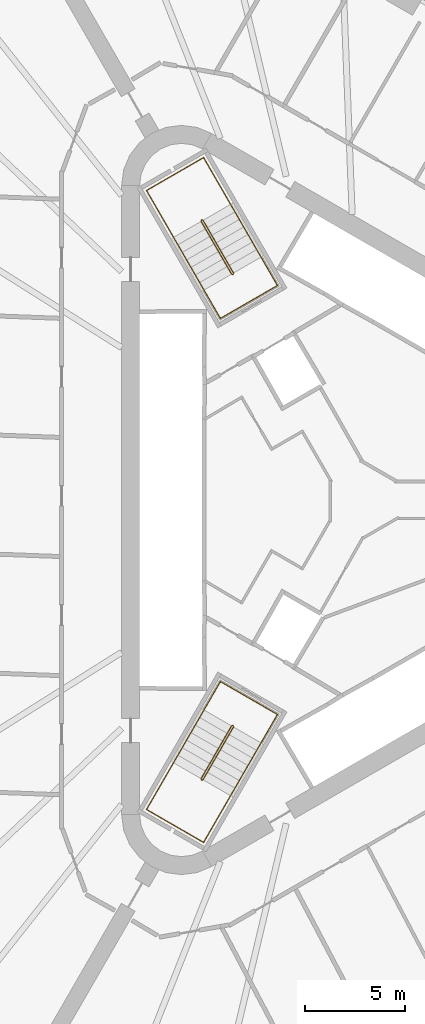
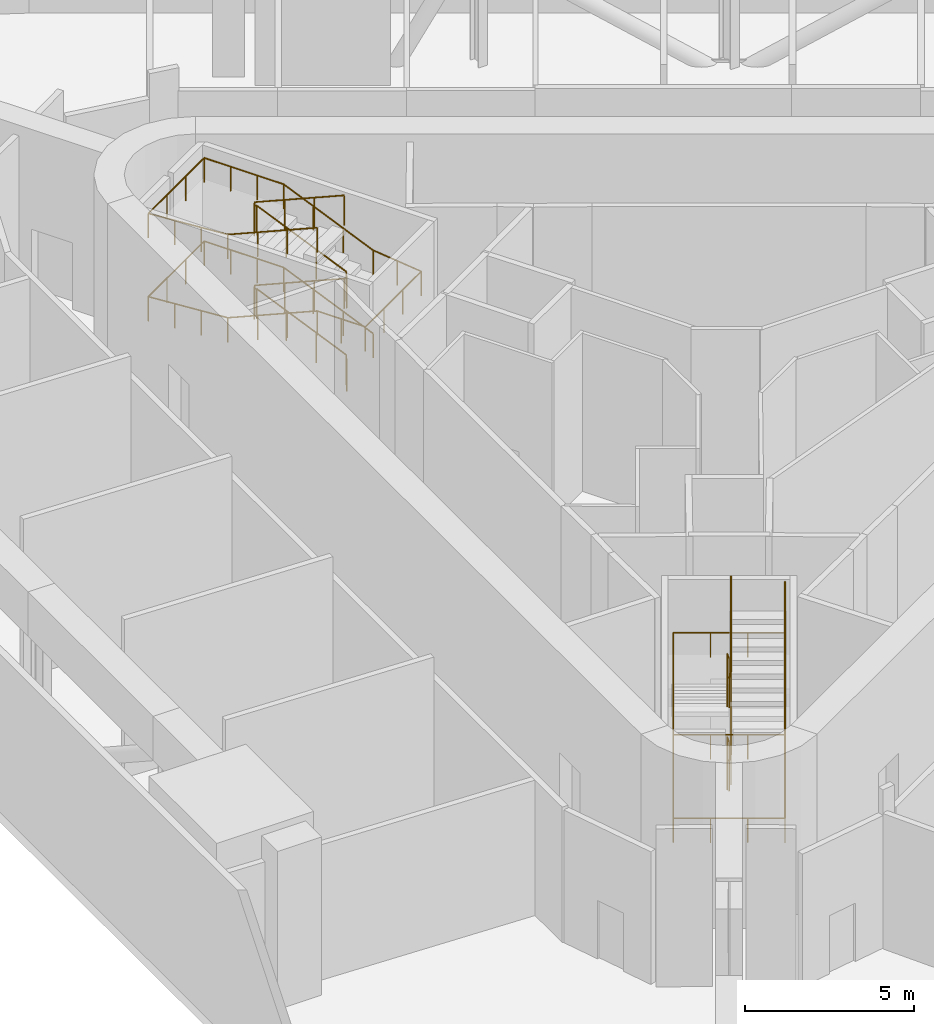
# One storey, part 13 of 14: 4 railings.
"""IFC4 building model written with IfcOpenShell, lengths in metres."""

from ifc_helpers import new_model, si_unit, direction, frame, origin, origin_2d, place, context, subcontext, project, spatial, circle, extrude, material, type_object, element, save


model = new_model("IFC4")

# Units and contexts
model_context = context("Model", 3, precision=1e-05, world=origin(), true_north=direction((0.0, 1.0)))
body_context = subcontext(model_context, "Body", "Model", "MODEL_VIEW")
ifc_project = project(units=[si_unit("LENGTHUNIT", "METRE"), si_unit("AREAUNIT", "SQUARE_METRE"), si_unit("VOLUMEUNIT", "CUBIC_METRE"), si_unit("PLANEANGLEUNIT", "RADIAN"), si_unit("MASSUNIT", "GRAM", prefix="KILO")], contexts=[model_context])

# Site, building, storey
site_placement = place(None, origin())
site = spatial("IfcSite", under=ifc_project, at=site_placement, CompositionType="ELEMENT")
building_placement = place(site_placement, origin())
building = spatial("IfcBuilding", under=site, at=building_placement, Name="Tanit Gate Tower", CompositionType="ELEMENT")
storey_placement = place(building_placement, frame((0.0, 0.0, 39.5)))
storey = spatial("IfcBuildingStorey", under=building, at=storey_placement, Name="L06", CompositionType="ELEMENT", Elevation=39.5)

# Railings
ifc_material_1 = material(Name="Stainless steel balustrade", Category="steel")
railing_type_1 = type_object("IfcRailingType", Name="INT-STAIR-GUARD", PredefinedType="GUARDRAIL", material=ifc_material_1)
railing_1_placement = place(storey_placement, frame((-6.527099609375, 11.29345703125, 0.0)))
element("IfcRailing", 1, at=railing_1_placement, inside=storey, type_object=railing_type_1, Name="L06 S2 stair guard 1", PredefinedType="GUARDRAIL", context=body_context, shape_type="SweptSolid", body=[
    extrude(circle(Radius=0.02392578125, at=origin_2d()), frame((0.0, 0.0, 1.076171875), z_axis=(0.868243142124, 0.496138938357, 0.0), x_axis=(-0.496138938357, 0.868243142124, 0.0)), (0.0, 0.0, 1.0), 0.01171875),
    extrude(circle(Radius=0.02392578125, at=origin_2d()), frame((0.01025390625, 0.005859375, 1.076171875), z_axis=(0.091365023295, 0.341096086969, 0.935577838543), x_axis=(-0.965948051503, 0.258736085224, 0.0)), (0.0, 0.0, 1.0), 0.200439453125),
    extrude(circle(Radius=0.02392578125, at=origin_2d()), frame((0.028564453125, 0.07421875, 1.263671875), z_axis=(-0.459281500864, 0.79545055458, 0.395371873282), x_axis=(-0.866012246495, -0.500022788402, 0.0)), (0.0, 0.0, 1.0), 3.319580078125),
    extrude(circle(Radius=0.02392578125, at=origin_2d()), frame((-1.49609375, 2.71484375, 2.576171875), z_axis=(-0.965715946433, 0.259601060869, 0.0), x_axis=(-0.259601060869, -0.965715946433, 0.0)), (0.0, 0.0, 1.0), 0.070556640625),
    extrude(circle(Radius=0.02392578125, at=origin_2d()), frame((-1.564208984375, 2.733154296875, 2.576171875), z_axis=(-0.873197702015, -0.487366159264, 0.0), x_axis=(0.487366159264, -0.873197702015, 0.0)), (0.0, 0.0, 1.0), 0.011962890625),
    extrude(circle(Radius=0.02392578125, at=origin_2d()), frame((-1.57470703125, 2.727294921875, 2.576171875), z_axis=(-0.091365023295, -0.341096086969, 0.935577838543), x_axis=(0.965948051503, -0.258736085224, 0.0)), (0.0, 0.0, 1.0), 0.200439453125),
    extrude(circle(Radius=0.02392578125, at=origin_2d()), frame((-1.593017578125, 2.658935546875, 2.763671875), z_axis=(0.459281500864, -0.79545055458, 0.395371873282), x_axis=(0.866012246495, 0.500022788402, 0.0)), (0.0, 0.0, 1.0), 3.319580078125),
    extrude(circle(Radius=0.02392578125, at=origin_2d()), frame((-0.068359375, 0.018310546875, 4.076171875), z_axis=(0.965948051503, -0.258736085224, 0.0), x_axis=(0.258736085224, 0.965948051503, 0.0)), (0.0, 0.0, 1.0), 0.07080078125),
    extrude(circle(Radius=0.02392578125, at=origin_2d()), frame((0.0, 0.0, 4.076171875), z_axis=(0.868243142124, 0.496138938357, 0.0), x_axis=(-0.496138938357, 0.868243142124, 0.0)), (0.0, 0.0, 1.0), 0.01171875),
    extrude(circle(Radius=0.02392578125, at=origin_2d()), frame((0.01025390625, 0.005859375, 4.076171875), z_axis=(0.091365023295, 0.341096086969, 0.935577838543), x_axis=(-0.965948051503, 0.258736085224, 0.0)), (0.0, 0.0, 1.0), 0.200439453125),
    extrude(circle(Radius=0.02392578125, at=origin_2d()), frame((0.028564453125, 0.07421875, 4.263671875), z_axis=(-0.459281500864, 0.79545055458, 0.395371873282), x_axis=(-0.866012246495, -0.500022788402, 0.0)), (0.0, 0.0, 1.0), 3.319580078125),
    extrude(circle(Radius=0.02392578125, at=origin_2d()), frame((-1.49609375, 2.71484375, 5.576171875), z_axis=(-0.965715946433, 0.259601060869, 0.0), x_axis=(-0.259601060869, -0.965715946433, 0.0)), (0.0, 0.0, 1.0), 0.070556640625),
    extrude(circle(Radius=0.02392578125, at=origin_2d()), frame((-1.564208984375, 2.733154296875, 5.576171875), z_axis=(-0.873197702015, -0.487366159264, 0.0), x_axis=(0.487366159264, -0.873197702015, 0.0)), (0.0, 0.0, 1.0), 0.011962890625),
    extrude(circle(Radius=0.02392578125, at=origin_2d()), frame((-1.57470703125, 2.727294921875, 5.576171875), z_axis=(-0.091365023295, -0.341096086969, 0.935577838543), x_axis=(0.965948051503, -0.258736085224, 0.0)), (0.0, 0.0, 1.0), 0.200439453125),
    extrude(circle(Radius=0.02392578125, at=origin_2d()), frame((-1.593017578125, 2.658935546875, 5.763671875), z_axis=(0.459281500864, -0.79545055458, 0.395371873282), x_axis=(0.866012246495, 0.500022788402, 0.0)), (0.0, 0.0, 1.0), 3.319580078125),
    extrude(circle(Radius=0.02099609375, at=origin_2d()), origin(), (0.0, 0.0, 1.0), 1.052001953125),
    extrude(circle(Radius=0.02099609375, at=origin_2d()), frame((0.01025390625, 0.005859375, 0.0)), (0.0, 0.0, 1.0), 1.052001953125),
    extrude(circle(Radius=0.02099609375, at=origin_2d()), frame((0.028564453125, 0.07421875, 0.1875)), (0.0, 0.0, 1.0), 1.052001953125),
    extrude(circle(Radius=0.02099609375, at=origin_2d()), frame((-0.479736328125, 0.954345703125, 0.625)), (0.0, 0.0, 1.0), 1.052001953125),
    extrude(circle(Radius=0.02099609375, at=origin_2d()), frame((-0.98779296875, 1.834716796875, 1.0625)), (0.0, 0.0, 1.0), 1.052001953125),
    extrude(circle(Radius=0.02099609375, at=origin_2d()), frame((-1.49609375, 2.71484375, 1.5)), (0.0, 0.0, 1.0), 1.052001953125),
    extrude(circle(Radius=0.02099609375, at=origin_2d()), frame((-1.564208984375, 2.733154296875, 1.5)), (0.0, 0.0, 1.0), 1.052001953125),
    extrude(circle(Radius=0.02099609375, at=origin_2d()), frame((-1.57470703125, 2.727294921875, 1.5)), (0.0, 0.0, 1.0), 1.052001953125),
    extrude(circle(Radius=0.02099609375, at=origin_2d()), frame((-1.593017578125, 2.658935546875, 1.6875)), (0.0, 0.0, 1.0), 1.052001953125),
    extrude(circle(Radius=0.02099609375, at=origin_2d()), frame((-1.084716796875, 1.77880859375, 2.125)), (0.0, 0.0, 1.0), 1.052001953125),
    extrude(circle(Radius=0.02099609375, at=origin_2d()), frame((-0.57666015625, 0.8984375, 2.5625)), (0.0, 0.0, 1.0), 1.052001953125),
    extrude(circle(Radius=0.02099609375, at=origin_2d()), frame((-0.068359375, 0.018310546875, 3.0)), (0.0, 0.0, 1.0), 1.052001953125),
    extrude(circle(Radius=0.02099609375, at=origin_2d()), frame((0.0, 0.0, 3.0)), (0.0, 0.0, 1.0), 1.052001953125),
    extrude(circle(Radius=0.02099609375, at=origin_2d()), frame((0.01025390625, 0.005859375, 3.0)), (0.0, 0.0, 1.0), 1.052001953125),
    extrude(circle(Radius=0.02099609375, at=origin_2d()), frame((0.028564453125, 0.07421875, 3.1875)), (0.0, 0.0, 1.0), 1.052001953125),
    extrude(circle(Radius=0.02099609375, at=origin_2d()), frame((-0.479736328125, 0.954345703125, 3.625)), (0.0, 0.0, 1.0), 1.052001953125),
    extrude(circle(Radius=0.02099609375, at=origin_2d()), frame((-0.98779296875, 1.834716796875, 4.0625)), (0.0, 0.0, 1.0), 1.052001953125),
    extrude(circle(Radius=0.02099609375, at=origin_2d()), frame((-1.49609375, 2.71484375, 4.5)), (0.0, 0.0, 1.0), 1.052001953125),
    extrude(circle(Radius=0.02099609375, at=origin_2d()), frame((-1.564208984375, 2.733154296875, 4.5)), (0.0, 0.0, 1.0), 1.052001953125),
    extrude(circle(Radius=0.02099609375, at=origin_2d()), frame((-1.57470703125, 2.727294921875, 4.5)), (0.0, 0.0, 1.0), 1.052001953125),
    extrude(circle(Radius=0.02099609375, at=origin_2d()), frame((-1.593017578125, 2.658935546875, 4.6875)), (0.0, 0.0, 1.0), 1.052001953125),
    extrude(circle(Radius=0.02099609375, at=origin_2d()), frame((-1.084716796875, 1.77880859375, 5.125)), (0.0, 0.0, 1.0), 1.052001953125),
    extrude(circle(Radius=0.02099609375, at=origin_2d()), frame((-0.57666015625, 0.8984375, 5.5625)), (0.0, 0.0, 1.0), 1.052001953125),
    extrude(circle(Radius=0.02099609375, at=origin_2d()), frame((-0.068359375, 0.018310546875, 6.0)), (0.0, 0.0, 1.0), 1.052001953125),
])
railing_2_placement = place(storey_placement, frame((-6.51806640625, -11.2998046875, 0.0)))
element("IfcRailing", 2, at=railing_2_placement, inside=storey, type_object=railing_type_1, Name="L06 S3 stair guard 1", PredefinedType="GUARDRAIL", context=body_context, shape_type="SweptSolid", body=[
    extrude(circle(Radius=0.02392578125, at=origin_2d()), frame((0.0, 0.0, 1.076171875), z_axis=(-0.874157276122, 0.485642931179, 0.0), x_axis=(-0.485642931179, -0.874157276122, 0.0)), (0.0, 0.0, 1.0), 0.010009765625),
    extrude(circle(Radius=0.02392578125, at=origin_2d()), frame((-0.0087890625, 0.0048828125, 1.076171875), z_axis=(-0.34113380443, -0.090156791171, 0.935681292151), x_axis=(0.255512919477, -0.966805641264, 0.0)), (0.0, 0.0, 1.0), 0.200439453125),
    extrude(circle(Radius=0.02392578125, at=origin_2d()), frame((-0.0771484375, -0.01318359375, 1.263671875), z_axis=(-0.459267510171, -0.795558940874, 0.395169995947), x_axis=(0.866048339477, -0.499960272111, 0.0)), (0.0, 0.0, 1.0), 3.3212890625),
    extrude(circle(Radius=0.02392578125, at=origin_2d()), frame((-1.6025390625, -2.655517578125, 2.576171875), z_axis=(0.258736085224, -0.965948051503, 0.0), x_axis=(0.965948051503, 0.258736085224, 0.0)), (0.0, 0.0, 1.0), 0.07080078125),
    extrude(circle(Radius=0.02392578125, at=origin_2d()), frame((-1.584228515625, -2.723876953125, 2.576171875), z_axis=(0.868243142124, -0.496138938357, 0.0), x_axis=(0.496138938357, 0.868243142124, 0.0)), (0.0, 0.0, 1.0), 0.009765625),
    extrude(circle(Radius=0.02392578125, at=origin_2d()), frame((-1.57568359375, -2.728759765625, 2.576171875), z_axis=(0.341096086969, 0.091365023295, 0.935577838543), x_axis=(-0.258736085224, 0.965948051503, 0.0)), (0.0, 0.0, 1.0), 0.200439453125),
    extrude(circle(Radius=0.02392578125, at=origin_2d()), frame((-1.50732421875, -2.71044921875, 2.763671875), z_axis=(0.459352369135, 0.79550509502, 0.395179762597), x_axis=(-0.865993683553, 0.500054937028, 0.0)), (0.0, 0.0, 1.0), 3.3212890625),
    extrude(circle(Radius=0.02392578125, at=origin_2d()), frame((0.018310546875, -0.068359375, 4.076171875), z_axis=(-0.258736085224, 0.965948051503, 0.0), x_axis=(-0.965948051503, -0.258736085224, 0.0)), (0.0, 0.0, 1.0), 0.07080078125),
    extrude(circle(Radius=0.02392578125, at=origin_2d()), frame((0.0, 0.0, 4.076171875), z_axis=(-0.874157276122, 0.485642931179, 0.0), x_axis=(-0.485642931179, -0.874157276122, 0.0)), (0.0, 0.0, 1.0), 0.010009765625),
    extrude(circle(Radius=0.02392578125, at=origin_2d()), frame((-0.0087890625, 0.0048828125, 4.076171875), z_axis=(-0.34113380443, -0.090156791171, 0.935681292151), x_axis=(0.255512919477, -0.966805641264, 0.0)), (0.0, 0.0, 1.0), 0.200439453125),
    extrude(circle(Radius=0.02392578125, at=origin_2d()), frame((-0.0771484375, -0.01318359375, 4.263671875), z_axis=(-0.459267510171, -0.795558940874, 0.395169995947), x_axis=(0.866048339477, -0.499960272111, 0.0)), (0.0, 0.0, 1.0), 3.3212890625),
    extrude(circle(Radius=0.02392578125, at=origin_2d()), frame((-1.6025390625, -2.655517578125, 5.576171875), z_axis=(0.258736085224, -0.965948051503, 0.0), x_axis=(0.965948051503, 0.258736085224, 0.0)), (0.0, 0.0, 1.0), 0.07080078125),
    extrude(circle(Radius=0.02392578125, at=origin_2d()), frame((-1.584228515625, -2.723876953125, 5.576171875), z_axis=(0.868243142124, -0.496138938357, 0.0), x_axis=(0.496138938357, 0.868243142124, 0.0)), (0.0, 0.0, 1.0), 0.009765625),
    extrude(circle(Radius=0.02392578125, at=origin_2d()), frame((-1.57568359375, -2.728759765625, 5.576171875), z_axis=(0.341096086969, 0.091365023295, 0.935577838543), x_axis=(-0.258736085224, 0.965948051503, 0.0)), (0.0, 0.0, 1.0), 0.200439453125),
    extrude(circle(Radius=0.02392578125, at=origin_2d()), frame((-1.50732421875, -2.71044921875, 5.763671875), z_axis=(0.459352369135, 0.79550509502, 0.395179762597), x_axis=(-0.865993683553, 0.500054937028, 0.0)), (0.0, 0.0, 1.0), 3.3212890625),
    extrude(circle(Radius=0.02099609375, at=origin_2d()), origin(), (0.0, 0.0, 1.0), 1.052001953125),
    extrude(circle(Radius=0.02099609375, at=origin_2d()), frame((-0.0087890625, 0.0048828125, 0.0)), (0.0, 0.0, 1.0), 1.052001953125),
    extrude(circle(Radius=0.02099609375, at=origin_2d()), frame((-0.0771484375, -0.01318359375, 0.1875)), (0.0, 0.0, 1.0), 1.052001953125),
    extrude(circle(Radius=0.02099609375, at=origin_2d()), frame((-0.585693359375, -0.89404296875, 0.625)), (0.0, 0.0, 1.0), 1.052001953125),
    extrude(circle(Radius=0.02099609375, at=origin_2d()), frame((-1.093994140625, -1.774658203125, 1.0625)), (0.0, 0.0, 1.0), 1.052001953125),
    extrude(circle(Radius=0.02099609375, at=origin_2d()), frame((-1.6025390625, -2.655517578125, 1.5)), (0.0, 0.0, 1.0), 1.052001953125),
    extrude(circle(Radius=0.02099609375, at=origin_2d()), frame((-1.584228515625, -2.723876953125, 1.5)), (0.0, 0.0, 1.0), 1.052001953125),
    extrude(circle(Radius=0.02099609375, at=origin_2d()), frame((-1.57568359375, -2.728759765625, 1.5)), (0.0, 0.0, 1.0), 1.052001953125),
    extrude(circle(Radius=0.02099609375, at=origin_2d()), frame((-1.50732421875, -2.71044921875, 1.6875)), (0.0, 0.0, 1.0), 1.052001953125),
    extrude(circle(Radius=0.02099609375, at=origin_2d()), frame((-0.998779296875, -1.829833984375, 2.125)), (0.0, 0.0, 1.0), 1.052001953125),
    extrude(circle(Radius=0.02099609375, at=origin_2d()), frame((-0.490234375, -0.948974609375, 2.5625)), (0.0, 0.0, 1.0), 1.052001953125),
    extrude(circle(Radius=0.02099609375, at=origin_2d()), frame((0.018310546875, -0.068359375, 3.0)), (0.0, 0.0, 1.0), 1.052001953125),
    extrude(circle(Radius=0.02099609375, at=origin_2d()), frame((0.0, 0.0, 3.0)), (0.0, 0.0, 1.0), 1.052001953125),
    extrude(circle(Radius=0.02099609375, at=origin_2d()), frame((-0.0087890625, 0.0048828125, 3.0)), (0.0, 0.0, 1.0), 1.052001953125),
    extrude(circle(Radius=0.02099609375, at=origin_2d()), frame((-0.0771484375, -0.01318359375, 3.1875)), (0.0, 0.0, 1.0), 1.052001953125),
    extrude(circle(Radius=0.02099609375, at=origin_2d()), frame((-0.585693359375, -0.89404296875, 3.625)), (0.0, 0.0, 1.0), 1.052001953125),
    extrude(circle(Radius=0.02099609375, at=origin_2d()), frame((-1.093994140625, -1.774658203125, 4.0625)), (0.0, 0.0, 1.0), 1.052001953125),
    extrude(circle(Radius=0.02099609375, at=origin_2d()), frame((-1.6025390625, -2.655517578125, 4.5)), (0.0, 0.0, 1.0), 1.052001953125),
    extrude(circle(Radius=0.02099609375, at=origin_2d()), frame((-1.584228515625, -2.723876953125, 4.5)), (0.0, 0.0, 1.0), 1.052001953125),
    extrude(circle(Radius=0.02099609375, at=origin_2d()), frame((-1.57568359375, -2.728759765625, 4.5)), (0.0, 0.0, 1.0), 1.052001953125),
    extrude(circle(Radius=0.02099609375, at=origin_2d()), frame((-1.50732421875, -2.71044921875, 4.6875)), (0.0, 0.0, 1.0), 1.052001953125),
    extrude(circle(Radius=0.02099609375, at=origin_2d()), frame((-0.998779296875, -1.829833984375, 5.125)), (0.0, 0.0, 1.0), 1.052001953125),
    extrude(circle(Radius=0.02099609375, at=origin_2d()), frame((-0.490234375, -0.948974609375, 5.5625)), (0.0, 0.0, 1.0), 1.052001953125),
    extrude(circle(Radius=0.02099609375, at=origin_2d()), frame((0.018310546875, -0.068359375, 6.0)), (0.0, 0.0, 1.0), 1.052001953125),
])
ifc_material_2 = material(Name="Stainless steel handrail", Category="steel")
railing_type_2 = type_object("IfcRailingType", Name="INT-STAIR-HANDRAIL", PredefinedType="HANDRAIL", material=ifc_material_2)
railing_3_placement = place(storey_placement, frame((-5.1181640625, 12.164794921875, 0.1875)))
element("IfcRailing", 3, at=railing_3_placement, inside=storey, type_object=railing_type_2, Name="L06 S2 stair handrail 1", PredefinedType="HANDRAIL", context=body_context, shape_type="SweptSolid", body=[
    extrude(circle(Radius=0.02392578125, at=origin_2d()), frame((0.0, 0.0, 0.8759765625), z_axis=(-0.459223467357, 0.795477421995, 0.3953852275), x_axis=(-0.866046917185, -0.499962735845, 0.0)), (0.0, 0.0, 1.0), 3.319580078125),
    extrude(circle(Radius=0.02392578125, at=origin_2d()), frame((-1.5244140625, 2.640625, 2.1884765625), z_axis=(-0.500019123664, 0.86601436245, 0.0), x_axis=(-0.86601436245, -0.500019123664, 0.0)), (0.0, 0.0, 1.0), 2.70703125),
    extrude(circle(Radius=0.02392578125, at=origin_2d()), frame((-2.8779296875, 4.98486328125, 2.1884765625), z_axis=(-0.866008176907, -0.50002983664, 0.0), x_axis=(0.50002983664, -0.866008176907, 0.0)), (0.0, 0.0, 1.0), 3.300048828125),
    extrude(circle(Radius=0.02392578125, at=origin_2d()), frame((-5.73583984375, 3.334716796875, 2.1884765625), z_axis=(0.498862685348, -0.863921472227, 0.069106519182), x_axis=(0.865991810323, 0.500058181068, 0.0)), (0.0, 0.0, 1.0), 2.713134765625),
    extrude(circle(Radius=0.02392578125, at=origin_2d()), frame((-4.38232421875, 0.99072265625, 2.3759765625), z_axis=(0.459254633775, -0.795477561817, 0.395348744784), x_axis=(0.866032263162, 0.499988119021, 0.0)), (0.0, 0.0, 1.0), 3.31982421875),
    extrude(circle(Radius=0.02392578125, at=origin_2d()), frame((-2.857666015625, -1.650146484375, 3.6884765625), z_axis=(0.499941024108, -0.866059450854, 0.0), x_axis=(0.866059450854, 0.499941024108, 0.0)), (0.0, 0.0, 1.0), 1.643798828125),
    extrude(circle(Radius=0.02392578125, at=origin_2d()), frame((-2.035888671875, -3.07373046875, 3.6884765625), z_axis=(0.866040211805, 0.499974350878, 0.0), x_axis=(-0.499974350878, 0.866040211805, 0.0)), (0.0, 0.0, 1.0), 3.300048828125),
    extrude(circle(Radius=0.02392578125, at=origin_2d()), frame((0.822021484375, -1.423828125, 3.6884765625), z_axis=(-0.496767975462, 0.860454657824, 0.113310901442), x_axis=(-0.866032269107, -0.499988108725, 0.0)), (0.0, 0.0, 1.0), 1.65478515625),
    extrude(circle(Radius=0.02392578125, at=origin_2d()), frame((0.0, 0.0, 3.8759765625), z_axis=(-0.459223467357, 0.795477421995, 0.3953852275), x_axis=(-0.866046917185, -0.499962735845, 0.0)), (0.0, 0.0, 1.0), 3.319580078125),
    extrude(circle(Radius=0.02392578125, at=origin_2d()), frame((-1.5244140625, 2.640625, 5.1884765625), z_axis=(-0.500019123664, 0.86601436245, 0.0), x_axis=(-0.86601436245, -0.500019123664, 0.0)), (0.0, 0.0, 1.0), 2.70703125),
    extrude(circle(Radius=0.02392578125, at=origin_2d()), frame((-2.8779296875, 4.98486328125, 5.1884765625), z_axis=(-0.866008176907, -0.50002983664, 0.0), x_axis=(0.50002983664, -0.866008176907, 0.0)), (0.0, 0.0, 1.0), 3.300048828125),
    extrude(circle(Radius=0.02392578125, at=origin_2d()), frame((-5.73583984375, 3.334716796875, 5.1884765625), z_axis=(0.498862685348, -0.863921472227, 0.069106519182), x_axis=(0.865991810323, 0.500058181068, 0.0)), (0.0, 0.0, 1.0), 2.713134765625),
    extrude(circle(Radius=0.02392578125, at=origin_2d()), frame((-4.38232421875, 0.99072265625, 5.3759765625), z_axis=(0.459254633775, -0.795477561817, 0.395348744784), x_axis=(0.866032263162, 0.499988119021, 0.0)), (0.0, 0.0, 1.0), 3.31982421875),
    extrude(circle(Radius=0.02099609375, at=origin_2d()), origin(), (0.0, 0.0, 1.0), 0.851806640625),
    extrude(circle(Radius=0.02099609375, at=origin_2d()), frame((-0.508056640625, 0.880126953125, 0.4375)), (0.0, 0.0, 1.0), 0.851806640625),
    extrude(circle(Radius=0.02099609375, at=origin_2d()), frame((-1.016357421875, 1.760498046875, 0.875)), (0.0, 0.0, 1.0), 0.851806640625),
    extrude(circle(Radius=0.02099609375, at=origin_2d()), frame((-1.5244140625, 2.640625, 1.3125)), (0.0, 0.0, 1.0), 0.851806640625),
    extrude(circle(Radius=0.02099609375, at=origin_2d()), frame((-1.9755859375, 3.422119140625, 1.3125)), (0.0, 0.0, 1.0), 0.851806640625),
    extrude(circle(Radius=0.02099609375, at=origin_2d()), frame((-2.4267578125, 4.203369140625, 1.3125)), (0.0, 0.0, 1.0), 0.851806640625),
    extrude(circle(Radius=0.02099609375, at=origin_2d()), frame((-2.8779296875, 4.98486328125, 1.3125)), (0.0, 0.0, 1.0), 0.851806640625),
    extrude(circle(Radius=0.02099609375, at=origin_2d()), frame((-3.83056640625, 4.434814453125, 1.3125)), (0.0, 0.0, 1.0), 0.851806640625),
    extrude(circle(Radius=0.02099609375, at=origin_2d()), frame((-4.783203125, 3.884765625, 1.3125)), (0.0, 0.0, 1.0), 0.851806640625),
    extrude(circle(Radius=0.02099609375, at=origin_2d()), frame((-5.73583984375, 3.334716796875, 1.3125)), (0.0, 0.0, 1.0), 0.851806640625),
    extrude(circle(Radius=0.02099609375, at=origin_2d()), frame((-5.28466796875, 2.553466796875, 1.375)), (0.0, 0.0, 1.0), 0.851806640625),
    extrude(circle(Radius=0.02099609375, at=origin_2d()), frame((-4.83349609375, 1.77197265625, 1.4375)), (0.0, 0.0, 1.0), 0.851806640625),
    extrude(circle(Radius=0.02099609375, at=origin_2d()), frame((-4.38232421875, 0.99072265625, 1.5)), (0.0, 0.0, 1.0), 0.851806640625),
    extrude(circle(Radius=0.02099609375, at=origin_2d()), frame((-3.8740234375, 0.1103515625, 1.9375)), (0.0, 0.0, 1.0), 0.851806640625),
    extrude(circle(Radius=0.02099609375, at=origin_2d()), frame((-3.365966796875, -0.769775390625, 2.375)), (0.0, 0.0, 1.0), 0.851806640625),
    extrude(circle(Radius=0.02099609375, at=origin_2d()), frame((-2.857666015625, -1.650146484375, 2.8125)), (0.0, 0.0, 1.0), 0.851806640625),
    extrude(circle(Radius=0.02099609375, at=origin_2d()), frame((-2.44677734375, -2.36181640625, 2.8125)), (0.0, 0.0, 1.0), 0.851806640625),
    extrude(circle(Radius=0.02099609375, at=origin_2d()), frame((-2.035888671875, -3.07373046875, 2.8125)), (0.0, 0.0, 1.0), 0.851806640625),
    extrude(circle(Radius=0.02099609375, at=origin_2d()), frame((-1.083251953125, -2.523681640625, 2.8125)), (0.0, 0.0, 1.0), 0.851806640625),
    extrude(circle(Radius=0.02099609375, at=origin_2d()), frame((-0.130615234375, -1.973876953125, 2.8125)), (0.0, 0.0, 1.0), 0.851806640625),
    extrude(circle(Radius=0.02099609375, at=origin_2d()), frame((0.822021484375, -1.423828125, 2.8125)), (0.0, 0.0, 1.0), 0.851806640625),
    extrude(circle(Radius=0.02099609375, at=origin_2d()), frame((0.4111328125, -0.7119140625, 2.90625)), (0.0, 0.0, 1.0), 0.851806640625),
    extrude(circle(Radius=0.02099609375, at=origin_2d()), frame((0.0, 0.0, 3.0)), (0.0, 0.0, 1.0), 0.851806640625),
    extrude(circle(Radius=0.02099609375, at=origin_2d()), frame((-0.508056640625, 0.880126953125, 3.4375)), (0.0, 0.0, 1.0), 0.851806640625),
    extrude(circle(Radius=0.02099609375, at=origin_2d()), frame((-1.016357421875, 1.760498046875, 3.875)), (0.0, 0.0, 1.0), 0.851806640625),
    extrude(circle(Radius=0.02099609375, at=origin_2d()), frame((-1.5244140625, 2.640625, 4.3125)), (0.0, 0.0, 1.0), 0.851806640625),
    extrude(circle(Radius=0.02099609375, at=origin_2d()), frame((-1.9755859375, 3.422119140625, 4.3125)), (0.0, 0.0, 1.0), 0.851806640625),
    extrude(circle(Radius=0.02099609375, at=origin_2d()), frame((-2.4267578125, 4.203369140625, 4.3125)), (0.0, 0.0, 1.0), 0.851806640625),
    extrude(circle(Radius=0.02099609375, at=origin_2d()), frame((-2.8779296875, 4.98486328125, 4.3125)), (0.0, 0.0, 1.0), 0.851806640625),
    extrude(circle(Radius=0.02099609375, at=origin_2d()), frame((-3.83056640625, 4.434814453125, 4.3125)), (0.0, 0.0, 1.0), 0.851806640625),
    extrude(circle(Radius=0.02099609375, at=origin_2d()), frame((-4.783203125, 3.884765625, 4.3125)), (0.0, 0.0, 1.0), 0.851806640625),
    extrude(circle(Radius=0.02099609375, at=origin_2d()), frame((-5.73583984375, 3.334716796875, 4.3125)), (0.0, 0.0, 1.0), 0.851806640625),
    extrude(circle(Radius=0.02099609375, at=origin_2d()), frame((-5.28466796875, 2.553466796875, 4.375)), (0.0, 0.0, 1.0), 0.851806640625),
    extrude(circle(Radius=0.02099609375, at=origin_2d()), frame((-4.83349609375, 1.77197265625, 4.4375)), (0.0, 0.0, 1.0), 0.851806640625),
    extrude(circle(Radius=0.02099609375, at=origin_2d()), frame((-4.38232421875, 0.99072265625, 4.5)), (0.0, 0.0, 1.0), 0.851806640625),
    extrude(circle(Radius=0.02099609375, at=origin_2d()), frame((-3.8740234375, 0.1103515625, 4.9375)), (0.0, 0.0, 1.0), 0.851806640625),
    extrude(circle(Radius=0.02099609375, at=origin_2d()), frame((-3.365966796875, -0.769775390625, 5.375)), (0.0, 0.0, 1.0), 0.851806640625),
    extrude(circle(Radius=0.02099609375, at=origin_2d()), frame((-2.857666015625, -1.650146484375, 5.8125)), (0.0, 0.0, 1.0), 0.851806640625),
])
railing_4_placement = place(storey_placement, frame((-7.9765625, -10.515625, 0.1875)))
element("IfcRailing", 4, at=railing_4_placement, inside=storey, type_object=railing_type_2, Name="L06 S3 stair handrail 1", PredefinedType="HANDRAIL", context=body_context, shape_type="SweptSolid", body=[
    extrude(circle(Radius=0.02392578125, at=origin_2d()), frame((0.0, 0.0, 0.8759765625), z_axis=(-0.459267510171, -0.795558940874, 0.395169995947), x_axis=(0.866048339477, -0.499960272111, 0.0)), (0.0, 0.0, 1.0), 3.3212890625),
    extrude(circle(Radius=0.02392578125, at=origin_2d()), frame((-1.525390625, -2.642333984375, 2.1884765625), z_axis=(-0.50004290449, -0.866000631449, 0.0), x_axis=(0.866000631449, -0.50004290449, 0.0)), (0.0, 0.0, 1.0), 2.703857421875),
    extrude(circle(Radius=0.02392578125, at=origin_2d()), frame((-2.87744140625, -4.98388671875, 2.1884765625), z_axis=(0.866008176907, -0.50002983664, 0.0), x_axis=(0.50002983664, 0.866008176907, 0.0)), (0.0, 0.0, 1.0), 3.300048828125),
    extrude(circle(Radius=0.02392578125, at=origin_2d()), frame((-0.01953125, -6.634033203125, 2.1884765625), z_axis=(0.498806118336, 0.863948769787, 0.069173546205), x_axis=(-0.866023205937, 0.500003806764, 0.0)), (0.0, 0.0, 1.0), 2.710693359375),
    extrude(circle(Radius=0.02392578125, at=origin_2d()), frame((1.33251953125, -4.292236328125, 2.3759765625), z_axis=(0.459267510171, 0.795558940874, 0.395169995947), x_axis=(-0.866048339477, 0.499960272111, 0.0)), (0.0, 0.0, 1.0), 3.3212890625),
    extrude(circle(Radius=0.02392578125, at=origin_2d()), frame((2.85791015625, -1.64990234375, 3.6884765625), z_axis=(0.50001794124, 0.866015045157, 0.0), x_axis=(-0.866015045157, 0.50001794124, 0.0)), (0.0, 0.0, 1.0), 1.64501953125),
    extrude(circle(Radius=0.02392578125, at=origin_2d()), frame((3.680419921875, -0.225341796875, 3.6884765625), z_axis=(-0.866040211805, 0.499974350878, 0.0), x_axis=(-0.499974350878, -0.866040211805, 0.0)), (0.0, 0.0, 1.0), 3.300048828125),
    extrude(circle(Radius=0.02392578125, at=origin_2d()), frame((0.822509765625, 1.424560546875, 3.6884765625), z_axis=(-0.496801021229, -0.860443442824, 0.113251167796), x_axis=(0.866015045157, -0.50001794124, 0.0)), (0.0, 0.0, 1.0), 1.655517578125),
    extrude(circle(Radius=0.02392578125, at=origin_2d()), frame((0.0, 0.0, 3.8759765625), z_axis=(-0.459267510171, -0.795558940874, 0.395169995947), x_axis=(0.866048339477, -0.499960272111, 0.0)), (0.0, 0.0, 1.0), 3.3212890625),
    extrude(circle(Radius=0.02392578125, at=origin_2d()), frame((-1.525390625, -2.642333984375, 5.1884765625), z_axis=(-0.50004290449, -0.866000631449, 0.0), x_axis=(0.866000631449, -0.50004290449, 0.0)), (0.0, 0.0, 1.0), 2.703857421875),
    extrude(circle(Radius=0.02392578125, at=origin_2d()), frame((-2.87744140625, -4.98388671875, 5.1884765625), z_axis=(0.866008176907, -0.50002983664, 0.0), x_axis=(0.50002983664, 0.866008176907, 0.0)), (0.0, 0.0, 1.0), 3.300048828125),
    extrude(circle(Radius=0.02392578125, at=origin_2d()), frame((-0.01953125, -6.634033203125, 5.1884765625), z_axis=(0.498806118336, 0.863948769787, 0.069173546205), x_axis=(-0.866023205937, 0.500003806764, 0.0)), (0.0, 0.0, 1.0), 2.710693359375),
    extrude(circle(Radius=0.02392578125, at=origin_2d()), frame((1.33251953125, -4.292236328125, 5.3759765625), z_axis=(0.459267510171, 0.795558940874, 0.395169995947), x_axis=(-0.866048339477, 0.499960272111, 0.0)), (0.0, 0.0, 1.0), 3.3212890625),
    extrude(circle(Radius=0.02099609375, at=origin_2d()), origin(), (0.0, 0.0, 1.0), 0.851806640625),
    extrude(circle(Radius=0.02099609375, at=origin_2d()), frame((-0.508544921875, -0.880859375, 0.4375)), (0.0, 0.0, 1.0), 0.851806640625),
    extrude(circle(Radius=0.02099609375, at=origin_2d()), frame((-1.016845703125, -1.761474609375, 0.875)), (0.0, 0.0, 1.0), 0.851806640625),
    extrude(circle(Radius=0.02099609375, at=origin_2d()), frame((-1.525390625, -2.642333984375, 1.3125)), (0.0, 0.0, 1.0), 0.851806640625),
    extrude(circle(Radius=0.02099609375, at=origin_2d()), frame((-1.97607421875, -3.4228515625, 1.3125)), (0.0, 0.0, 1.0), 0.851806640625),
    extrude(circle(Radius=0.02099609375, at=origin_2d()), frame((-2.4267578125, -4.203369140625, 1.3125)), (0.0, 0.0, 1.0), 0.851806640625),
    extrude(circle(Radius=0.02099609375, at=origin_2d()), frame((-2.87744140625, -4.98388671875, 1.3125)), (0.0, 0.0, 1.0), 0.851806640625),
    extrude(circle(Radius=0.02099609375, at=origin_2d()), frame((-1.9248046875, -5.533935546875, 1.3125)), (0.0, 0.0, 1.0), 0.851806640625),
    extrude(circle(Radius=0.02099609375, at=origin_2d()), frame((-0.97216796875, -6.083984375, 1.3125)), (0.0, 0.0, 1.0), 0.851806640625),
    extrude(circle(Radius=0.02099609375, at=origin_2d()), frame((-0.01953125, -6.634033203125, 1.3125)), (0.0, 0.0, 1.0), 0.851806640625),
    extrude(circle(Radius=0.02099609375, at=origin_2d()), frame((0.43115234375, -5.853515625, 1.375)), (0.0, 0.0, 1.0), 0.851806640625),
    extrude(circle(Radius=0.02099609375, at=origin_2d()), frame((0.8818359375, -5.07275390625, 1.4375)), (0.0, 0.0, 1.0), 0.851806640625),
    extrude(circle(Radius=0.02099609375, at=origin_2d()), frame((1.33251953125, -4.292236328125, 1.5)), (0.0, 0.0, 1.0), 0.851806640625),
    extrude(circle(Radius=0.02099609375, at=origin_2d()), frame((1.841064453125, -3.411376953125, 1.9375)), (0.0, 0.0, 1.0), 0.851806640625),
    extrude(circle(Radius=0.02099609375, at=origin_2d()), frame((2.349365234375, -2.53076171875, 2.375)), (0.0, 0.0, 1.0), 0.851806640625),
    extrude(circle(Radius=0.02099609375, at=origin_2d()), frame((2.85791015625, -1.64990234375, 2.8125)), (0.0, 0.0, 1.0), 0.851806640625),
    extrude(circle(Radius=0.02099609375, at=origin_2d()), frame((3.26904296875, -0.9375, 2.8125)), (0.0, 0.0, 1.0), 0.851806640625),
    extrude(circle(Radius=0.02099609375, at=origin_2d()), frame((3.680419921875, -0.225341796875, 2.8125)), (0.0, 0.0, 1.0), 0.851806640625),
    extrude(circle(Radius=0.02099609375, at=origin_2d()), frame((2.727783203125, 0.32470703125, 2.8125)), (0.0, 0.0, 1.0), 0.851806640625),
    extrude(circle(Radius=0.02099609375, at=origin_2d()), frame((1.775146484375, 0.87451171875, 2.8125)), (0.0, 0.0, 1.0), 0.851806640625),
    extrude(circle(Radius=0.02099609375, at=origin_2d()), frame((0.822509765625, 1.424560546875, 2.8125)), (0.0, 0.0, 1.0), 0.851806640625),
    extrude(circle(Radius=0.02099609375, at=origin_2d()), frame((0.4111328125, 0.71240234375, 2.90625)), (0.0, 0.0, 1.0), 0.851806640625),
    extrude(circle(Radius=0.02099609375, at=origin_2d()), frame((0.0, 0.0, 3.0)), (0.0, 0.0, 1.0), 0.851806640625),
    extrude(circle(Radius=0.02099609375, at=origin_2d()), frame((-0.508544921875, -0.880859375, 3.4375)), (0.0, 0.0, 1.0), 0.851806640625),
    extrude(circle(Radius=0.02099609375, at=origin_2d()), frame((-1.016845703125, -1.761474609375, 3.875)), (0.0, 0.0, 1.0), 0.851806640625),
    extrude(circle(Radius=0.02099609375, at=origin_2d()), frame((-1.525390625, -2.642333984375, 4.3125)), (0.0, 0.0, 1.0), 0.851806640625),
    extrude(circle(Radius=0.02099609375, at=origin_2d()), frame((-1.97607421875, -3.4228515625, 4.3125)), (0.0, 0.0, 1.0), 0.851806640625),
    extrude(circle(Radius=0.02099609375, at=origin_2d()), frame((-2.4267578125, -4.203369140625, 4.3125)), (0.0, 0.0, 1.0), 0.851806640625),
    extrude(circle(Radius=0.02099609375, at=origin_2d()), frame((-2.87744140625, -4.98388671875, 4.3125)), (0.0, 0.0, 1.0), 0.851806640625),
    extrude(circle(Radius=0.02099609375, at=origin_2d()), frame((-1.9248046875, -5.533935546875, 4.3125)), (0.0, 0.0, 1.0), 0.851806640625),
    extrude(circle(Radius=0.02099609375, at=origin_2d()), frame((-0.97216796875, -6.083984375, 4.3125)), (0.0, 0.0, 1.0), 0.851806640625),
    extrude(circle(Radius=0.02099609375, at=origin_2d()), frame((-0.01953125, -6.634033203125, 4.3125)), (0.0, 0.0, 1.0), 0.851806640625),
    extrude(circle(Radius=0.02099609375, at=origin_2d()), frame((0.43115234375, -5.853515625, 4.375)), (0.0, 0.0, 1.0), 0.851806640625),
    extrude(circle(Radius=0.02099609375, at=origin_2d()), frame((0.8818359375, -5.07275390625, 4.4375)), (0.0, 0.0, 1.0), 0.851806640625),
    extrude(circle(Radius=0.02099609375, at=origin_2d()), frame((1.33251953125, -4.292236328125, 4.5)), (0.0, 0.0, 1.0), 0.851806640625),
    extrude(circle(Radius=0.02099609375, at=origin_2d()), frame((1.841064453125, -3.411376953125, 4.9375)), (0.0, 0.0, 1.0), 0.851806640625),
    extrude(circle(Radius=0.02099609375, at=origin_2d()), frame((2.349365234375, -2.53076171875, 5.375)), (0.0, 0.0, 1.0), 0.851806640625),
    extrude(circle(Radius=0.02099609375, at=origin_2d()), frame((2.85791015625, -1.64990234375, 5.8125)), (0.0, 0.0, 1.0), 0.851806640625),
])

save(model, "model.ifc")
